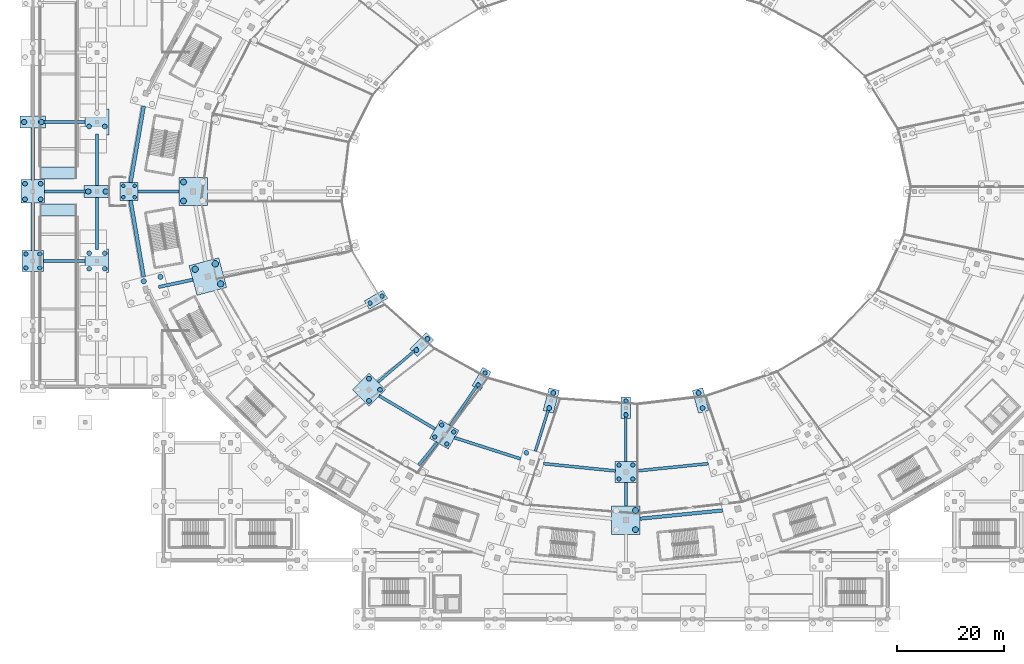
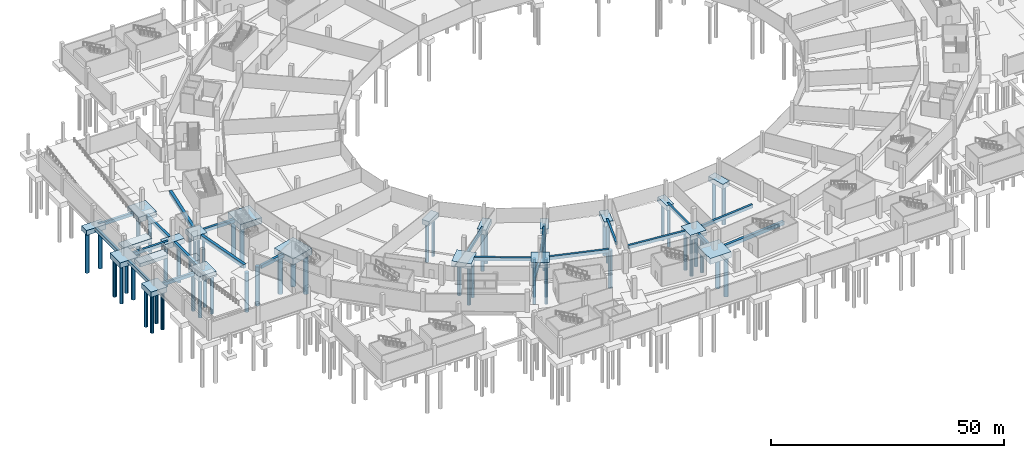
# One storey, part 3 of 74: 55 piles, 43 footings.
"""IFC4 building model written with IfcOpenShell, lengths in metres."""

from ifc_helpers import new_model, si_unit, direction, frame, origin, origin_2d, place, context, subcontext, project, spatial, polyline, rectangle, circle, outline, extrude, material, material_profile, profile_set, type_object, element, save


model = new_model("IFC4")

# Units and contexts
model_context = context("Model", 3, precision=1e-05, world=origin(), true_north=direction((0.0, 1.0)))
body_context = subcontext(model_context, "Body", "Model", "MODEL_VIEW")
ifc_project = project(units=[si_unit("LENGTHUNIT", "METRE"), si_unit("AREAUNIT", "SQUARE_METRE"), si_unit("VOLUMEUNIT", "CUBIC_METRE"), si_unit("PLANEANGLEUNIT", "RADIAN"), si_unit("MASSUNIT", "GRAM", prefix="KILO")], contexts=[model_context])

# Site, building, storey
site_placement = place(None, origin())
site = spatial("IfcSite", under=ifc_project, at=site_placement, CompositionType="ELEMENT")
building_placement = place(site_placement, origin())
building = spatial("IfcBuilding", under=site, at=building_placement, Name="Zlatoyarsky Gate Stadium", CompositionType="ELEMENT")
storey_placement = place(building_placement, frame((0.0, 0.0, -5.39990234375)))
storey = spatial("IfcBuildingStorey", under=building, at=storey_placement, Name="B1", CompositionType="ELEMENT", Elevation=-5.39990234375)

# Piles
ifc_material = material(Name="Concrete C35/45", Category="concrete")
ifc_material_profile_1 = material_profile(ifc_material, circle(Radius=0.324951171875, at=origin_2d()), Name="ANCHOR PILE D650")
ifc_profile_set_1 = profile_set([ifc_material_profile_1], Name="Concrete C35/45")
pile_type_1 = type_object("IfcPileType", Name="CONCRETE ANCHOR PILE D650", PredefinedType="SUPPORT", material=ifc_profile_set_1)
for number, where, z_axis, x_axis, name in (
    (1, (19.056396484375, 81.056396484375, -1.2001953125), (0.0, 0.0, -1.0), (1.0, 0.0, 0.0), "Pile 1 under RC-12"),
    (2, (16.943603515625, 81.056396484375, -1.2001953125), (0.0, 0.0, -1.0), (1.0, 0.0, 0.0), "Pile 2 under RC-12"),
    (3, (19.056396484375, 78.943603515625, -1.2001953125), (0.0, 0.0, -1.0), (1.0, 0.0, 0.0), "Pile 3 under RC-12"),
    (4, (16.943603515625, 78.943603515625, -1.2001953125), (0.0, 0.0, -1.0), (1.0, 0.0, 0.0), "Pile 4 under RC-12"),
):
    element("IfcPile", number, at=place(storey_placement, frame(where, z_axis=z_axis, x_axis=x_axis)), inside=storey, type_object=pile_type_1, Name=name, PredefinedType="SUPPORT", context=body_context, shape_type="SweptSolid", body=[
        extrude(circle(Radius=0.324951171875, at=origin_2d()), origin(), (0.0, 0.0, 1.0), 10.0),
    ])
ifc_material_profile_2 = material_profile(ifc_material, circle(Radius=0.5, at=origin_2d()), Name="BORED PILE D1000")
ifc_profile_set_2 = profile_set([ifc_material_profile_2], Name="Concrete C35/45")
pile_type_2 = type_object("IfcPileType", Name="CONCRETE BORED PILE D1000", PredefinedType="BORED", material=ifc_profile_set_2)
for number, where, z_axis, x_axis, name in (
    (5, (23.8876953125, 64.03466796875, -1.5), (0.0, 0.0, -1.0), (1.0, 0.0, 0.0), "Pile 1 under RC-13"),
    (6, (20.748291015625, 63.193359375, -1.5), (0.0, 0.0, -1.0), (1.0, 0.0, 0.0), "Pile 2 under RC-13"),
):
    element("IfcPile", number, at=place(storey_placement, frame(where, z_axis=z_axis, x_axis=x_axis)), inside=storey, type_object=pile_type_2, Name=name, PredefinedType="BORED", context=body_context, shape_type="SweptSolid", body=[
        extrude(circle(Radius=0.5, at=origin_2d()), origin(), (0.0, 0.0, 1.0), 10.300048828125),
    ])
for number, where, z_axis, x_axis, name in (
    (7, (-1.625, 93.0, -1.2001953125), (0.0, 0.0, -1.0), (1.0, 0.0, 0.0), "Pile 1 under WG-1-J"),
    (8, (1.625, 93.0, -1.2001953125), (0.0, 0.0, -1.0), (1.0, 0.0, 0.0), "Pile 2 under WG-1-J"),
    (9, (10.375, 80.0, -1.2001953125), (0.0, 0.0, -1.0), (1.0, 0.0, 0.0), "Pile 1 under WG-2-H"),
    (10, (13.625, 80.0, -1.2001953125), (0.0, 0.0, -1.0), (1.0, 0.0, 0.0), "Pile 2 under WG-2-H"),
):
    element("IfcPile", number, at=place(storey_placement, frame(where, z_axis=z_axis, x_axis=x_axis)), inside=storey, type_object=pile_type_2, Name=name, PredefinedType="BORED", context=body_context, shape_type="SweptSolid", body=[
        extrude(circle(Radius=0.5, at=origin_2d()), origin(), (0.0, 0.0, 1.0), 10.60009765625),
    ])
ifc_material_profile_3 = material_profile(ifc_material, circle(Radius=0.550048828125, at=origin_2d()), Name="BORED PILE D1100")
ifc_profile_set_3 = profile_set([ifc_material_profile_3], Name="Concrete C35/45")
pile_type_3 = type_object("IfcPileType", Name="CONCRETE BORED PILE D1100", PredefinedType="BORED", material=ifc_profile_set_3)
for number, where, z_axis, x_axis, name in (
    (11, (28.21240234375, 81.78759765625, -1.4501953125), (0.0, 0.0, -1.0), (1.0, 0.0, 0.0), "Pile 2 under RB-12"),
    (12, (28.21240234375, 78.21240234375, -1.4501953125), (0.0, 0.0, -1.0), (1.0, 0.0, 0.0), "Pile 4 under RB-12"),
    (13, (112.78759765625, 20.28759765625, -1.4501953125), (0.0, 0.0, -1.0), (1.0, 0.0, 0.0), "Pile 3 under RB-18"),
    (14, (112.78759765625, 16.71240234375, -1.4501953125), (0.0, 0.0, -1.0), (1.0, 0.0, 0.0), "Pile 4 under RB-18"),
):
    element("IfcPile", number, at=place(storey_placement, frame(where, z_axis=z_axis, x_axis=x_axis)), inside=storey, type_object=pile_type_3, Name=name, PredefinedType="BORED", context=body_context, shape_type="SweptSolid", body=[
        extrude(circle(Radius=0.550048828125, at=origin_2d()), origin(), (0.0, 0.0, 1.0), 10.35009765625),
    ])
ifc_material_profile_4 = material_profile(ifc_material, circle(Radius=0.60009765625, at=origin_2d()), Name="BORED PILE D1200")
ifc_profile_set_4 = profile_set([ifc_material_profile_4], Name="Concrete C35/45")
pile_type_4 = type_object("IfcPileType", Name="CONCRETE BORED PILE D1200", PredefinedType="BORED", material=ifc_profile_set_4)
for number, where, z_axis, x_axis, name in (
    (15, (34.138916015625, 66.470947265625, -1.550048828125), (0.0, 0.0, -1.0), (1.0, 0.0, 0.0), "Pile 1 under RB-13"),
    (16, (30.37158203125, 65.46142578125, -1.550048828125), (0.0, 0.0, -1.0), (1.0, 0.0, 0.0), "Pile 2 under RB-13"),
    (17, (35.148193359375, 62.70361328125, -1.550048828125), (0.0, 0.0, -1.0), (1.0, 0.0, 0.0), "Pile 3 under RB-13"),
):
    element("IfcPile", number, at=place(storey_placement, frame(where, z_axis=z_axis, x_axis=x_axis)), inside=storey, type_object=pile_type_4, Name=name, PredefinedType="BORED", context=body_context, shape_type="SweptSolid", body=[
        extrude(circle(Radius=0.60009765625, at=origin_2d()), origin(), (0.0, 0.0, 1.0), 10.25),
    ])
ifc_material_profile_5 = material_profile(ifc_material, circle(Radius=0.39990234375, at=origin_2d()), Name="BORED PILE D800")
ifc_profile_set_5 = profile_set([ifc_material_profile_5], Name="Concrete C35/45")
pile_type_5 = type_object("IfcPileType", Name="CONCRETE BORED PILE D800", PredefinedType="BORED", material=ifc_profile_set_5)
for number, where, z_axis, x_axis, name in (
    (18, (65.3603515625, 60.39990234375, -1.10009765625), (0.0, 0.0, -1.0), (1.0, 0.0, 0.0), "Pile 1 under R0-14"),
    (19, (63.10888671875, 59.10009765625, -1.10009765625), (0.0, 0.0, -1.0), (1.0, 0.0, 0.0), "Pile 2 under R0-14"),
    (20, (84.64990234375, 46.0517578125, -1.10009765625), (0.0, 0.0, -1.0), (1.0, 0.0, 0.0), "Pile 1 under R0-16"),
    (21, (83.35009765625, 43.80029296875, -1.10009765625), (0.0, 0.0, -1.0), (1.0, 0.0, 0.0), "Pile 2 under R0-16"),
    (22, (111.0, 40.800048828125, -1.10009765625), (0.0, 0.0, -1.0), (1.0, 0.0, 0.0), "Pile 1 under R0-18"),
    (23, (111.0, 38.199951171875, -1.10009765625), (0.0, 0.0, -1.0), (1.0, 0.0, 0.0), "Pile 2 under R0-18"),
):
    element("IfcPile", number, at=place(storey_placement, frame(where, z_axis=z_axis, x_axis=x_axis)), inside=storey, type_object=pile_type_5, Name=name, PredefinedType="BORED", context=body_context, shape_type="SweptSolid", body=[
        extrude(circle(Radius=0.39990234375, at=origin_2d()), origin(), (0.0, 0.0, 1.0), 10.10009765625),
    ])
for number, where, z_axis, x_axis, name in (
    (24, (76.524169921875, 36.3095703125, -1.25), (0.0, 0.0, -1.0), (1.0, 0.0, 0.0), "Pile 1 under RA-16"),
    (25, (75.22412109375, 34.057861328125, -1.25), (0.0, 0.0, -1.0), (1.0, 0.0, 0.0), "Pile 2 under RA-16"),
    (26, (78.77587890625, 35.009521484375, -1.25), (0.0, 0.0, -1.0), (1.0, 0.0, 0.0), "Pile 3 under RA-16"),
    (27, (77.475830078125, 32.7578125, -1.25), (0.0, 0.0, -1.0), (1.0, 0.0, 0.0), "Pile 4 under RA-16"),
    (28, (109.699951171875, 28.800048828125, -1.25), (0.0, 0.0, -1.0), (1.0, 0.0, 0.0), "Pile 1 under RA-18"),
    (29, (109.699951171875, 26.199951171875, -1.25), (0.0, 0.0, -1.0), (1.0, 0.0, 0.0), "Pile 2 under RA-18"),
    (30, (112.300048828125, 28.800048828125, -1.25), (0.0, 0.0, -1.0), (1.0, 0.0, 0.0), "Pile 3 under RA-18"),
    (31, (112.300048828125, 26.199951171875, -1.25), (0.0, 0.0, -1.0), (1.0, 0.0, 0.0), "Pile 4 under RA-18"),
    (32, (-1.300048828125, 65.699951171875, -1.25), (0.0, 0.0, -1.0), (1.0, 0.0, 0.0), "Pile 1 under WG-1-G"),
    (33, (1.300048828125, 65.699951171875, -1.25), (0.0, 0.0, -1.0), (1.0, 0.0, 0.0), "Pile 2 under WG-1-G"),
    (34, (-1.300048828125, 68.300048828125, -1.25), (0.0, 0.0, -1.0), (1.0, 0.0, 0.0), "Pile 3 under WG-1-G"),
    (35, (1.300048828125, 68.300048828125, -1.25), (0.0, 0.0, -1.0), (1.0, 0.0, 0.0), "Pile 4 under WG-1-G"),
):
    element("IfcPile", number, at=place(storey_placement, frame(where, z_axis=z_axis, x_axis=x_axis)), inside=storey, type_object=pile_type_5, Name=name, PredefinedType="BORED", context=body_context, shape_type="SweptSolid", body=[
        extrude(circle(Radius=0.39990234375, at=origin_2d()), origin(), (0.0, 0.0, 1.0), 9.949951171875),
    ])
ifc_material_profile_6 = material_profile(ifc_material, circle(Radius=0.449951171875, at=origin_2d()), Name="BORED PILE D900")
ifc_profile_set_6 = profile_set([ifc_material_profile_6], Name="Concrete C35/45")
pile_type_6 = type_object("IfcPileType", Name="CONCRETE BORED PILE D900", PredefinedType="BORED", material=ifc_profile_set_6)
for number, where, z_axis, x_axis, name in (
    (36, (73.850341796875, 52.396240234375, -1.150146484375), (0.0, 0.0, -1.0), (1.0, 0.0, 0.0), "Pile 1 under R0-15"),
    (37, (71.781982421875, 50.328125, -1.150146484375), (0.0, 0.0, -1.0), (1.0, 0.0, 0.0), "Pile 2 under R0-15"),
    (38, (97.40234375, 42.292724609375, -1.150146484375), (0.0, 0.0, -1.0), (1.0, 0.0, 0.0), "Pile 1 under R0-17"),
    (39, (96.645263671875, 39.46728515625, -1.150146484375), (0.0, 0.0, -1.0), (1.0, 0.0, 0.0), "Pile 2 under R0-17"),
    (40, (124.59765625, 42.292724609375, -1.150146484375), (0.0, 0.0, -1.0), (1.0, 0.0, 0.0), "Pile 1 under R0-19"),
    (41, (125.354736328125, 39.46728515625, -1.150146484375), (0.0, 0.0, -1.0), (1.0, 0.0, 0.0), "Pile 2 under R0-19"),
):
    element("IfcPile", number, at=place(storey_placement, frame(where, z_axis=z_axis, x_axis=x_axis)), inside=storey, type_object=pile_type_6, Name=name, PredefinedType="BORED", context=body_context, shape_type="SweptSolid", body=[
        extrude(circle(Radius=0.449951171875, at=origin_2d()), origin(), (0.0, 0.0, 1.0), 10.050048828125),
    ])
for number, where, z_axis, x_axis, name in (
    (42, (62.916748046875, 44.9453125, -1.300048828125), (0.0, 0.0, -1.0), (1.0, 0.0, 0.0), "Pile 1 under RA-15"),
    (43, (64.985107421875, 42.876953125, -1.300048828125), (0.0, 0.0, -1.0), (1.0, 0.0, 0.0), "Pile 3 under RA-15"),
    (44, (62.916748046875, 40.80859375, -1.300048828125), (0.0, 0.0, -1.0), (1.0, 0.0, 0.0), "Pile 4 under RA-15"),
    (45, (92.3662109375, 31.080078125, -1.300048828125), (0.0, 0.0, -1.0), (1.0, 0.0, 0.0), "Pile 1 under RA-17"),
    (46, (-1.46240234375, 78.53759765625, -1.300048828125), (0.0, 0.0, -1.0), (1.0, 0.0, 0.0), "Pile 1 under WG-1-H"),
    (47, (1.46240234375, 78.53759765625, -1.300048828125), (0.0, 0.0, -1.0), (1.0, 0.0, 0.0), "Pile 2 under WG-1-H"),
    (48, (-1.46240234375, 81.46240234375, -1.300048828125), (0.0, 0.0, -1.0), (1.0, 0.0, 0.0), "Pile 3 under WG-1-H"),
    (49, (1.46240234375, 81.46240234375, -1.300048828125), (0.0, 0.0, -1.0), (1.0, 0.0, 0.0), "Pile 4 under WG-1-H"),
    (50, (10.53759765625, 65.53759765625, -1.300048828125), (0.0, 0.0, -1.0), (1.0, 0.0, 0.0), "Pile 1 under WG-2-G"),
    (51, (13.46240234375, 65.53759765625, -1.300048828125), (0.0, 0.0, -1.0), (1.0, 0.0, 0.0), "Pile 2 under WG-2-G"),
    (52, (10.53759765625, 68.46240234375, -1.300048828125), (0.0, 0.0, -1.0), (1.0, 0.0, 0.0), "Pile 3 under WG-2-G"),
    (53, (13.46240234375, 68.46240234375, -1.300048828125), (0.0, 0.0, -1.0), (1.0, 0.0, 0.0), "Pile 4 under WG-2-G"),
):
    element("IfcPile", number, at=place(storey_placement, frame(where, z_axis=z_axis, x_axis=x_axis)), inside=storey, type_object=pile_type_6, Name=name, PredefinedType="BORED", context=body_context, shape_type="SweptSolid", body=[
        extrude(circle(Radius=0.449951171875, at=origin_2d()), origin(), (0.0, 0.0, 1.0), 9.89990234375),
    ])
for number, where, z_axis, x_axis, name in (
    (54, (10.53759765625, 92.15576171875, -1.25), (0.0, 0.0, -1.0), (1.0, 0.0, 0.0), "Pile 1 under WG-2-J"),
    (55, (13.46240234375, 92.15576171875, -1.25), (0.0, 0.0, -1.0), (1.0, 0.0, 0.0), "Pile 2 under WG-2-J"),
):
    element("IfcPile", number, at=place(storey_placement, frame(where, z_axis=z_axis, x_axis=x_axis)), inside=storey, type_object=pile_type_6, Name=name, PredefinedType="BORED", context=body_context, shape_type="SweptSolid", body=[
        extrude(circle(Radius=0.449951171875, at=origin_2d()), origin(), (0.0, 0.0, 1.0), 9.949951171875),
    ])

# Footings
ifc_material_profile_7 = material_profile(ifc_material, rectangle(XDim=0.5, YDim=0.800048828125, at=origin_2d()), Name="GB 500X800")
ifc_profile_set_7 = profile_set([ifc_material_profile_7], Name="Concrete C35/45")
footing_type_1 = type_object("IfcFootingType", Name="CONCRETE GROUND TIE BEAM 500X800", PredefinedType="STRIP_FOOTING", material=ifc_profile_set_7)
footing_1_placement = place(storey_placement, frame((0.0, 0.0, -0.800048828125)))
element("IfcFooting", 56, at=footing_1_placement, inside=storey, type_object=footing_type_1, Name="Ground tie beam GB-01 R0-15 to RA-15", PredefinedType="STRIP_FOOTING", context=body_context, shape_type="SweptSolid", body=[
    extrude(outline(polyline([(71.90185546875, 50.90771484375), (64.416748046875, 44.491943359375), (64.7421875, 44.1123046875), (72.227294921875, 50.528076171875), (71.90185546875, 50.90771484375)])), origin(), (0.0, 0.0, 1.0), 0.800048828125),
])
footing_2_placement = place(storey_placement, frame((0.0, 0.0, -0.800048828125)))
element("IfcFooting", 57, at=footing_2_placement, inside=storey, type_object=footing_type_1, Name="Ground tie beam GB-01 R0-16 to RA-16", PredefinedType="STRIP_FOOTING", context=body_context, shape_type="SweptSolid", body=[
    extrude(outline(polyline([(83.29541015625, 44.327392578125), (77.904296875, 36.323974609375), (78.319091796875, 36.04443359375), (83.710205078125, 44.048095703125), (83.29541015625, 44.327392578125)])), origin(), (0.0, 0.0, 1.0), 0.800048828125),
])
footing_3_placement = place(storey_placement, frame((0.0, 0.0, -0.800048828125)))
element("IfcFooting", 58, at=footing_3_placement, inside=storey, type_object=footing_type_1, Name="Ground tie beam GB-01 R0-17 to RA-17", PredefinedType="STRIP_FOOTING", context=body_context, shape_type="SweptSolid", body=[
    extrude(outline(polyline([(96.48974609375, 40.009765625), (93.815185546875, 31.45361328125), (94.292236328125, 31.304443359375), (96.967041015625, 39.860595703125), (96.48974609375, 40.009765625)])), origin(), (0.0, 0.0, 1.0), 0.800048828125),
])
footing_4_placement = place(storey_placement, frame((0.0, 0.0, -0.800048828125)))
element("IfcFooting", 59, at=footing_4_placement, inside=storey, type_object=footing_type_1, Name="Ground tie beam GB-01 R0-18 to RA-18", PredefinedType="STRIP_FOOTING", context=body_context, shape_type="SweptSolid", body=[
    extrude(outline(polyline([(110.75, 38.610107421875), (110.75, 29.489990234375), (111.25, 29.489990234375), (111.25, 38.610107421875), (110.75, 38.610107421875)])), origin(), (0.0, 0.0, 1.0), 0.800048828125),
])
ifc_material_profile_8 = material_profile(ifc_material, rectangle(XDim=0.550048828125, YDim=0.85009765625, at=origin_2d()), Name="GB 550X850")
ifc_profile_set_8 = profile_set([ifc_material_profile_8], Name="Concrete C35/45")
footing_type_2 = type_object("IfcFootingType", Name="CONCRETE GROUND TIE BEAM 550X850", PredefinedType="STRIP_FOOTING", material=ifc_profile_set_8)
footing_5_placement = place(storey_placement, frame((0.0, 0.0, -0.85009765625)))
element("IfcFooting", 60, at=footing_5_placement, inside=storey, type_object=footing_type_2, Name="Ground tie beam GB-02 RA-15 to RA-16", PredefinedType="STRIP_FOOTING", context=body_context, shape_type="SweptSolid", body=[
    extrude(outline(polyline([(64.66064453125, 41.524169921875), (75.147705078125, 35.3115234375), (75.427978515625, 35.78466796875), (64.941162109375, 41.997314453125), (64.66064453125, 41.524169921875)])), origin(), (0.0, 0.0, 1.0), 0.85009765625),
])
footing_6_placement = place(storey_placement, frame((0.0, 0.0, -0.85009765625)))
element("IfcFooting", 61, at=footing_6_placement, inside=storey, type_object=footing_type_2, Name="Ground tie beam GB-02 RA-16 to RB-16", PredefinedType="STRIP_FOOTING", context=body_context, shape_type="SweptSolid", body=[
    extrude(outline(polyline([(75.514404296875, 33.181640625), (71.9794921875, 28.943115234375), (72.402099609375, 28.5908203125), (75.936767578125, 32.829345703125), (75.514404296875, 33.181640625)])), origin(), (0.0, 0.0, 1.0), 0.85009765625),
])
footing_7_placement = place(storey_placement, frame((0.0, 0.0, -0.85009765625)))
element("IfcFooting", 62, at=footing_7_placement, inside=storey, type_object=footing_type_2, Name="Ground tie beam GB-02 RA-16 to RA-17", PredefinedType="STRIP_FOOTING", context=body_context, shape_type="SweptSolid", body=[
    extrude(outline(polyline([(78.8115234375, 33.66552734375), (91.230712890625, 29.694091796875), (91.398193359375, 30.218017578125), (78.979248046875, 34.189453125), (78.8115234375, 33.66552734375)])), origin(), (0.0, 0.0, 1.0), 0.85009765625),
])
footing_8_placement = place(storey_placement, frame((0.0, 0.0, -0.85009765625)))
element("IfcFooting", 63, at=footing_8_placement, inside=storey, type_object=footing_type_2, Name="Ground tie beam GB-02 RA-17 to RA-18", PredefinedType="STRIP_FOOTING", context=body_context, shape_type="SweptSolid", body=[
    extrude(outline(polyline([(95.55126953125, 28.793701171875), (108.992431640625, 27.427490234375), (109.048095703125, 27.974853515625), (95.60693359375, 29.341064453125), (95.55126953125, 28.793701171875)])), origin(), (0.0, 0.0, 1.0), 0.85009765625),
])
footing_9_placement = place(storey_placement, frame((0.0, 0.0, -0.85009765625)))
element("IfcFooting", 64, at=footing_9_placement, inside=storey, type_object=footing_type_2, Name="Ground tie beam GB-02 RA-18 to RB-18", PredefinedType="STRIP_FOOTING", context=body_context, shape_type="SweptSolid", body=[
    extrude(outline(polyline([(110.72509765625, 25.510009765625), (110.72509765625, 21.139892578125), (111.27490234375, 21.139892578125), (111.27490234375, 25.510009765625), (110.72509765625, 25.510009765625)])), origin(), (0.0, 0.0, 1.0), 0.85009765625),
])
footing_10_placement = place(storey_placement, frame((0.0, 0.0, -0.85009765625)))
element("IfcFooting", 65, at=footing_10_placement, inside=storey, type_object=footing_type_2, Name="Ground tie beam GB-02 RA-18 to RA-19", PredefinedType="STRIP_FOOTING", context=body_context, shape_type="SweptSolid", body=[
    extrude(outline(polyline([(113.007568359375, 27.427490234375), (126.44873046875, 28.793701171875), (126.39306640625, 29.341064453125), (112.951904296875, 27.974853515625), (113.007568359375, 27.427490234375)])), origin(), (0.0, 0.0, 1.0), 0.85009765625),
])
footing_11_placement = place(storey_placement, frame((0.0, 0.0, -0.85009765625)))
element("IfcFooting", 66, at=footing_11_placement, inside=storey, type_object=footing_type_2, Name="Ground tie beam GB-02 WG-1-G to WG-2-G", PredefinedType="STRIP_FOOTING", context=body_context, shape_type="SweptSolid", body=[
    extrude(outline(polyline([(1.989990234375, 66.72509765625), (9.81005859375, 66.72509765625), (9.81005859375, 67.27490234375), (1.989990234375, 67.27490234375), (1.989990234375, 66.72509765625)])), origin(), (0.0, 0.0, 1.0), 0.85009765625),
])
footing_12_placement = place(storey_placement, frame((0.0, 0.0, -0.85009765625)))
element("IfcFooting", 67, at=footing_12_placement, inside=storey, type_object=footing_type_2, Name="Ground tie beam GB-02 WG-1-H to WG-2-H", PredefinedType="STRIP_FOOTING", context=body_context, shape_type="SweptSolid", body=[
    extrude(outline(polyline([(2.18994140625, 79.72509765625), (10.909912109375, 79.72509765625), (10.909912109375, 80.27490234375), (2.18994140625, 80.27490234375), (2.18994140625, 79.72509765625)])), origin(), (0.0, 0.0, 1.0), 0.85009765625),
])
footing_13_placement = place(storey_placement, frame((0.0, 0.0, -0.85009765625)))
element("IfcFooting", 68, at=footing_13_placement, inside=storey, type_object=footing_type_2, Name="Ground tie beam GB-02 WG-1-J to WG-2-J", PredefinedType="STRIP_FOOTING", context=body_context, shape_type="SweptSolid", body=[
    extrude(outline(polyline([(1.090087890625, 92.72509765625), (9.760009765625, 92.72509765625), (9.760009765625, 93.27490234375), (1.090087890625, 93.27490234375), (1.090087890625, 92.72509765625)])), origin(), (0.0, 0.0, 1.0), 0.85009765625),
])
ifc_material_profile_9 = material_profile(ifc_material, rectangle(XDim=0.60009765625, YDim=0.89990234375, at=origin_2d()), Name="GB 600X900")
ifc_profile_set_9 = profile_set([ifc_material_profile_9], Name="Concrete C35/45")
footing_type_3 = type_object("IfcFootingType", Name="CONCRETE GROUND TIE BEAM 600X900", PredefinedType="STRIP_FOOTING", material=ifc_profile_set_9)
footing_14_placement = place(storey_placement, frame((0.0, 0.0, -0.900146484375)))
element("IfcFooting", 69, at=footing_14_placement, inside=storey, type_object=footing_type_3, Name="Ground tie beam GB-03 RB-12 to RC-12", PredefinedType="STRIP_FOOTING", context=body_context, shape_type="SweptSolid", body=[
    extrude(outline(polyline([(27.360107421875, 80.300048828125), (19.68994140625, 80.300048828125), (19.68994140625, 79.699951171875), (27.360107421875, 79.699951171875), (27.360107421875, 80.300048828125)])), origin(), (0.0, 0.0, 1.0), 0.900146484375),
])
footing_15_placement = place(storey_placement, frame((0.0, 0.0, -0.900146484375)))
element("IfcFooting", 70, at=footing_15_placement, inside=storey, type_object=footing_type_3, Name="Ground tie beam GB-03 RB-13 to RC-13", PredefinedType="STRIP_FOOTING", context=body_context, shape_type="SweptSolid", body=[
    extrude(outline(polyline([(29.895263671875, 63.781494140625), (23.468994140625, 62.41845703125), (23.593505859375, 61.83154296875), (30.01953125, 63.194580078125), (29.895263671875, 63.781494140625)])), origin(), (0.0, 0.0, 1.0), 0.900146484375),
])
footing_16_placement = place(storey_placement, frame((0.0, 0.0, -0.900146484375)))
element("IfcFooting", 71, at=footing_16_placement, inside=storey, type_object=footing_type_3, Name="Ground tie beam GB-03 WG-1-G to WG-1-H", PredefinedType="STRIP_FOOTING", context=body_context, shape_type="SweptSolid", body=[
    extrude(outline(polyline([(0.300048828125, 68.989990234375), (0.300048828125, 77.81005859375), (-0.300048828125, 77.81005859375), (-0.300048828125, 68.989990234375), (0.300048828125, 68.989990234375)])), origin(), (0.0, 0.0, 1.0), 0.900146484375),
])
footing_17_placement = place(storey_placement, frame((0.0, 0.0, -0.900146484375)))
element("IfcFooting", 72, at=footing_17_placement, inside=storey, type_object=footing_type_3, Name="Ground tie beam GB-03 WG-1-H to WG-1-J", PredefinedType="STRIP_FOOTING", context=body_context, shape_type="SweptSolid", body=[
    extrude(outline(polyline([(0.300048828125, 82.18994140625), (0.300048828125, 91.909912109375), (-0.300048828125, 91.909912109375), (-0.300048828125, 82.18994140625), (0.300048828125, 82.18994140625)])), origin(), (0.0, 0.0, 1.0), 0.900146484375),
])
footing_18_placement = place(storey_placement, frame((0.0, 0.0, -0.900146484375)))
element("IfcFooting", 73, at=footing_18_placement, inside=storey, type_object=footing_type_3, Name="Ground tie beam GB-03 WG-2-G to WG-2-H", PredefinedType="STRIP_FOOTING", context=body_context, shape_type="SweptSolid", body=[
    extrude(outline(polyline([(12.300048828125, 69.18994140625), (12.300048828125, 78.909912109375), (11.699951171875, 78.909912109375), (11.699951171875, 69.18994140625), (12.300048828125, 69.18994140625)])), origin(), (0.0, 0.0, 1.0), 0.900146484375),
])
footing_19_placement = place(storey_placement, frame((0.0, 0.0, -0.900146484375)))
element("IfcFooting", 74, at=footing_19_placement, inside=storey, type_object=footing_type_3, Name="Ground tie beam GB-03 WG-2-H to WG-2-J", PredefinedType="STRIP_FOOTING", context=body_context, shape_type="SweptSolid", body=[
    extrude(outline(polyline([(12.300048828125, 81.090087890625), (12.300048828125, 90.760009765625), (11.699951171875, 90.760009765625), (11.699951171875, 81.090087890625), (12.300048828125, 81.090087890625)])), origin(), (0.0, 0.0, 1.0), 0.900146484375),
])
footing_20_placement = place(storey_placement, frame((0.0, 0.0, -0.900146484375)))
element("IfcFooting", 75, at=footing_20_placement, inside=storey, type_object=footing_type_3, Name="Vehicle ramp VR-01 toe foundation beam", PredefinedType="STRIP_FOOTING", context=body_context, shape_type="SweptSolid", body=[
    extrude(outline(polyline([(1.300048828125, 75.39990234375), (8.300048828125, 75.39990234375), (8.300048828125, 77.64990234375), (1.300048828125, 77.64990234375), (1.300048828125, 75.39990234375)])), origin(), (0.0, 0.0, 1.0), 0.900146484375),
])
footing_21_placement = place(storey_placement, frame((0.0, 0.0, -0.900146484375)))
element("IfcFooting", 76, at=footing_21_placement, inside=storey, type_object=footing_type_3, Name="Vehicle ramp VR-02 toe foundation beam", PredefinedType="STRIP_FOOTING", context=body_context, shape_type="SweptSolid", body=[
    extrude(outline(polyline([(1.300048828125, 82.35009765625), (8.300048828125, 82.35009765625), (8.300048828125, 84.60009765625), (1.300048828125, 84.60009765625), (1.300048828125, 82.35009765625)])), origin(), (0.0, 0.0, 1.0), 0.900146484375),
])
ifc_material_profile_10 = material_profile(ifc_material, rectangle(XDim=0.64990234375, YDim=0.949951171875, at=origin_2d()), Name="GB 650X950")
ifc_profile_set_10 = profile_set([ifc_material_profile_10], Name="Concrete C35/45")
footing_type_4 = type_object("IfcFootingType", Name="CONCRETE GROUND TIE BEAM 650X950", PredefinedType="STRIP_FOOTING", material=ifc_profile_set_10)
footing_22_placement = place(storey_placement, frame((0.0, 0.0, -0.9501953125)))
element("IfcFooting", 77, at=footing_22_placement, inside=storey, type_object=footing_type_4, Name="Ground tie beam GB-04 RB-18 to RB-19", PredefinedType="STRIP_FOOTING", context=body_context, shape_type="SweptSolid", body=[
    extrude(outline(polyline([(113.6591796875, 18.439208984375), (129.145751953125, 19.9873046875), (129.0810546875, 20.634033203125), (113.594482421875, 19.0859375), (113.6591796875, 18.439208984375)])), origin(), (0.0, 0.0, 1.0), 0.9501953125),
])
ifc_material_profile_11 = material_profile(ifc_material, rectangle(XDim=0.699951171875, YDim=1.0, at=origin_2d()), Name="GB 700X1000")
ifc_profile_set_11 = profile_set([ifc_material_profile_11], Name="Concrete C35/45")
footing_type_5 = type_object("IfcFootingType", Name="CONCRETE GROUND TIE BEAM 700X1000", PredefinedType="STRIP_FOOTING", material=ifc_profile_set_11)
footing_23_placement = place(storey_placement, frame((0.0, 0.0, -1.0)))
element("IfcFooting", 78, at=footing_23_placement, inside=storey, type_object=footing_type_5, Name="Ground tie beam GB-05 RC-11 to RC-12", PredefinedType="STRIP_FOOTING", context=body_context, shape_type="SweptSolid", body=[
    extrude(outline(polyline([(20.41357421875, 96.0556640625), (17.9423828125, 81.724853515625), (18.632080078125, 81.60595703125), (21.103515625, 95.936767578125), (20.41357421875, 96.0556640625)])), origin(), (0.0, 0.0, 1.0), 1.0),
])
footing_24_placement = place(storey_placement, frame((0.0, 0.0, -1.0)))
element("IfcFooting", 79, at=footing_24_placement, inside=storey, type_object=footing_type_5, Name="Ground tie beam GB-05 RC-12 to RC-13", PredefinedType="STRIP_FOOTING", context=body_context, shape_type="SweptSolid", body=[
    extrude(outline(polyline([(17.9423828125, 78.275146484375), (20.41357421875, 63.9443359375), (21.103515625, 64.063232421875), (18.632080078125, 78.39404296875), (17.9423828125, 78.275146484375)])), origin(), (0.0, 0.0, 1.0), 1.0),
])
footing_type_6 = type_object("IfcFootingType", Name="CONCRETE PILE CAP 3400X3400X1300", PredefinedType="PILE_CAP", material=ifc_material)
footing_25_placement = place(storey_placement, frame((18.0, 80.0, -1.30029296875), z_axis=(0.0, 0.0, 1.0), x_axis=(-1.0, 0.0, 0.0)))
element("IfcFooting", 80, at=footing_25_placement, inside=storey, type_object=footing_type_6, Name="Pile cap PC-10 at RC-12", PredefinedType="PILE_CAP", context=body_context, shape_type="SweptSolid", body=[
    extrude(rectangle(XDim=3.39990234375, YDim=3.39990234375, at=origin_2d()), origin(), (0.0, 0.0, 1.0), 1.300048828125),
])
footing_type_7 = type_object("IfcFootingType", Name="CONCRETE PILE CAP 4000X1800X1200", PredefinedType="PILE_CAP", material=ifc_material)
for number, where, z_axis, x_axis, name in (
    (81, (64.234619140625, 59.75, -1.2001953125), (0.0, 0.0, 1.0), (-0.866025403784, -0.5, 0.0), "Pile cap PC-01 at R0-14"),
    (82, (84.0, 44.926025390625, -1.2001953125), (0.0, 0.0, 1.0), (-0.5, -0.866025403784, 0.0), "Pile cap PC-01 at R0-16"),
    (83, (111.0, 39.5, -1.2001953125), (0.0, 0.0, 1.0), (0.0, -1.0, 0.0), "Pile cap PC-01 at R0-18"),
):
    element("IfcFooting", number, at=place(storey_placement, frame(where, z_axis=z_axis, x_axis=x_axis)), inside=storey, type_object=footing_type_7, Name=name, PredefinedType="PILE_CAP", context=body_context, shape_type="SweptSolid", body=[
        extrude(rectangle(XDim=4.0, YDim=1.800048828125, at=origin_2d()), origin(), (0.0, 0.0, 1.0), 1.199951171875),
    ])
footing_type_8 = type_object("IfcFootingType", Name="CONCRETE PILE CAP 4000X4000X1350", PredefinedType="PILE_CAP", material=ifc_material)
for number, where, z_axis, x_axis, name in (
    (84, (77.0, 34.53369140625, -1.35009765625), (0.0, 0.0, 1.0), (-0.5, -0.866025403784, 0.0), "Pile cap PC-05 at RA-16"),
    (85, (111.0, 27.5, -1.35009765625), (0.0, 0.0, 1.0), (0.0, -1.0, 0.0), "Pile cap PC-05 at RA-18"),
    (86, (0.0, 67.0, -1.35009765625), (0.0, 0.0, 1.0), (1.0, 0.0, 0.0), "Pile cap PC-05 at WG-1-G"),
):
    element("IfcFooting", number, at=place(storey_placement, frame(where, z_axis=z_axis, x_axis=x_axis)), inside=storey, type_object=footing_type_8, Name=name, PredefinedType="PILE_CAP", context=body_context, shape_type="SweptSolid", body=[
        extrude(rectangle(XDim=4.0, YDim=4.0, at=origin_2d()), origin(), (0.0, 0.0, 1.0), 1.35009765625),
    ])
footing_type_9 = type_object("IfcFootingType", Name="CONCRETE PILE CAP 4400X2000X1250", PredefinedType="PILE_CAP", material=ifc_material)
for number, where, z_axis, x_axis, name in (
    (87, (72.816162109375, 51.3623046875, -1.25), (0.0, 0.0, 1.0), (-0.707106781187, -0.707106781187, 0.0), "Pile cap PC-02 at R0-15"),
    (88, (97.023681640625, 40.8798828125, -1.25), (0.0, 0.0, 1.0), (-0.258819045103, -0.965925826289, 0.0), "Pile cap PC-02 at R0-17"),
    (89, (124.976318359375, 40.8798828125, -1.25), (0.0, 0.0, 1.0), (0.258819045103, -0.965925826289, 0.0), "Pile cap PC-02 at R0-19"),
):
    element("IfcFooting", number, at=place(storey_placement, frame(where, z_axis=z_axis, x_axis=x_axis)), inside=storey, type_object=footing_type_9, Name=name, PredefinedType="PILE_CAP", context=body_context, shape_type="SweptSolid", body=[
        extrude(rectangle(XDim=4.39990234375, YDim=2.0, at=origin_2d()), origin(), (0.0, 0.0, 1.0), 1.25),
    ])
footing_type_10 = type_object("IfcFootingType", Name="CONCRETE PILE CAP 4400X4400X1400", PredefinedType="PILE_CAP", material=ifc_material)
for number, where, z_axis, x_axis, name in (
    (90, (62.916748046875, 42.876953125, -1.400146484375), (0.0, 0.0, 1.0), (-0.707106781187, -0.707106781187, 0.0), "Pile cap PC-06 at RA-15"),
    (91, (0.0, 80.0, -1.400146484375), (0.0, 0.0, 1.0), (1.0, 0.0, 0.0), "Pile cap PC-06 at WG-1-H"),
    (92, (12.0, 67.0, -1.400146484375), (0.0, 0.0, 1.0), (1.0, 0.0, 0.0), "Pile cap PC-06 at WG-2-G"),
):
    element("IfcFooting", number, at=place(storey_placement, frame(where, z_axis=z_axis, x_axis=x_axis)), inside=storey, type_object=footing_type_10, Name=name, PredefinedType="PILE_CAP", context=body_context, shape_type="SweptSolid", body=[
        extrude(rectangle(XDim=4.39990234375, YDim=4.39990234375, at=origin_2d()), origin(), (0.0, 0.0, 1.0), 1.39990234375),
    ])
footing_type_11 = type_object("IfcFootingType", Name="CONCRETE PILE CAP 4500X4850X1350", PredefinedType="PILE_CAP", material=ifc_material)
footing_26_placement = place(storey_placement, frame((12.0, 93.0, -1.35009765625), z_axis=(0.0, 0.0, 1.0), x_axis=(1.0, 0.0, 0.0)))
element("IfcFooting", 93, at=footing_26_placement, inside=storey, type_object=footing_type_11, Name="Pile cap PC-04 at WG-2-J", PredefinedType="PILE_CAP", context=body_context, shape_type="SweptSolid", body=[
    extrude(rectangle(XDim=4.5, YDim=4.85009765625, at=origin_2d()), origin(), (0.0, 0.0, 1.0), 1.35009765625),
])
footing_type_12 = type_object("IfcFootingType", Name="CONCRETE PILE CAP 4800X2200X1300", PredefinedType="PILE_CAP", material=ifc_material)
for number, where, z_axis, x_axis, name in (
    (94, (0.0, 93.0, -1.30029296875), (0.0, 0.0, 1.0), (1.0, 0.0, 0.0), "Pile cap PC-03 at WG-1-J"),
    (95, (12.0, 80.0, -1.30029296875), (0.0, 0.0, 1.0), (1.0, 0.0, 0.0), "Pile cap PC-03 at WG-2-H"),
):
    element("IfcFooting", number, at=place(storey_placement, frame(where, z_axis=z_axis, x_axis=x_axis)), inside=storey, type_object=footing_type_12, Name=name, PredefinedType="PILE_CAP", context=body_context, shape_type="SweptSolid", body=[
        extrude(rectangle(XDim=4.800048828125, YDim=2.199951171875, at=origin_2d()), origin(), (0.0, 0.0, 1.0), 1.300048828125),
    ])
footing_type_13 = type_object("IfcFootingType", Name="CONCRETE PILE CAP 5300X5300X1550", PredefinedType="PILE_CAP", material=ifc_material)
for number, where, z_axis, x_axis, name in (
    (96, (30.0, 80.0, -1.55029296875), (0.0, 0.0, 1.0), (-1.0, 0.0, 0.0), "Pile cap PC-08 at RB-12"),
    (97, (111.0, 18.5, -1.55029296875), (0.0, 0.0, 1.0), (0.0, -1.0, 0.0), "Pile cap PC-08 at RB-18"),
):
    element("IfcFooting", number, at=place(storey_placement, frame(where, z_axis=z_axis, x_axis=x_axis)), inside=storey, type_object=footing_type_13, Name=name, PredefinedType="PILE_CAP", context=body_context, shape_type="SweptSolid", body=[
        extrude(rectangle(XDim=5.300048828125, YDim=5.300048828125, at=origin_2d()), origin(), (0.0, 0.0, 1.0), 1.550048828125),
    ])
footing_type_14 = type_object("IfcFootingType", Name="CONCRETE PILE CAP 5750X5750X1650", PredefinedType="PILE_CAP", material=ifc_material)
footing_27_placement = place(storey_placement, frame((32.760009765625, 64.08251953125, -1.650146484375), z_axis=(0.0, 0.0, 1.0), x_axis=(-0.965925826289, -0.258819045103, 0.0)))
element("IfcFooting", 98, at=footing_27_placement, inside=storey, type_object=footing_type_14, Name="Pile cap PC-09 at RB-13", PredefinedType="PILE_CAP", context=body_context, shape_type="SweptSolid", body=[
    extrude(rectangle(XDim=5.75, YDim=5.75, at=origin_2d()), origin(), (0.0, 0.0, 1.0), 1.64990234375),
])

save(model, "model.ifc")
